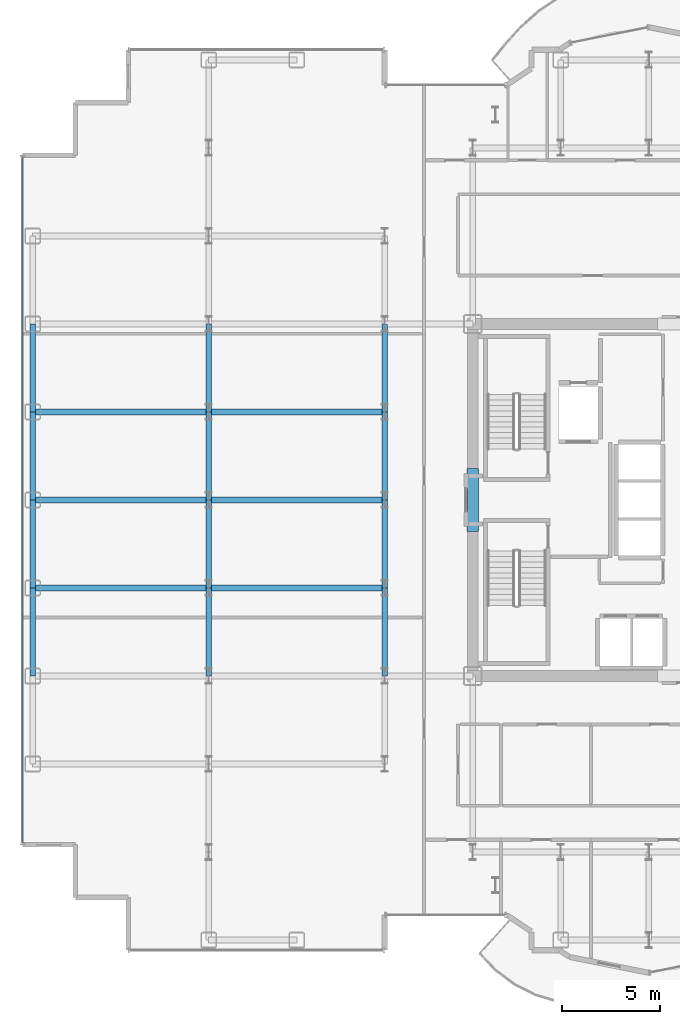
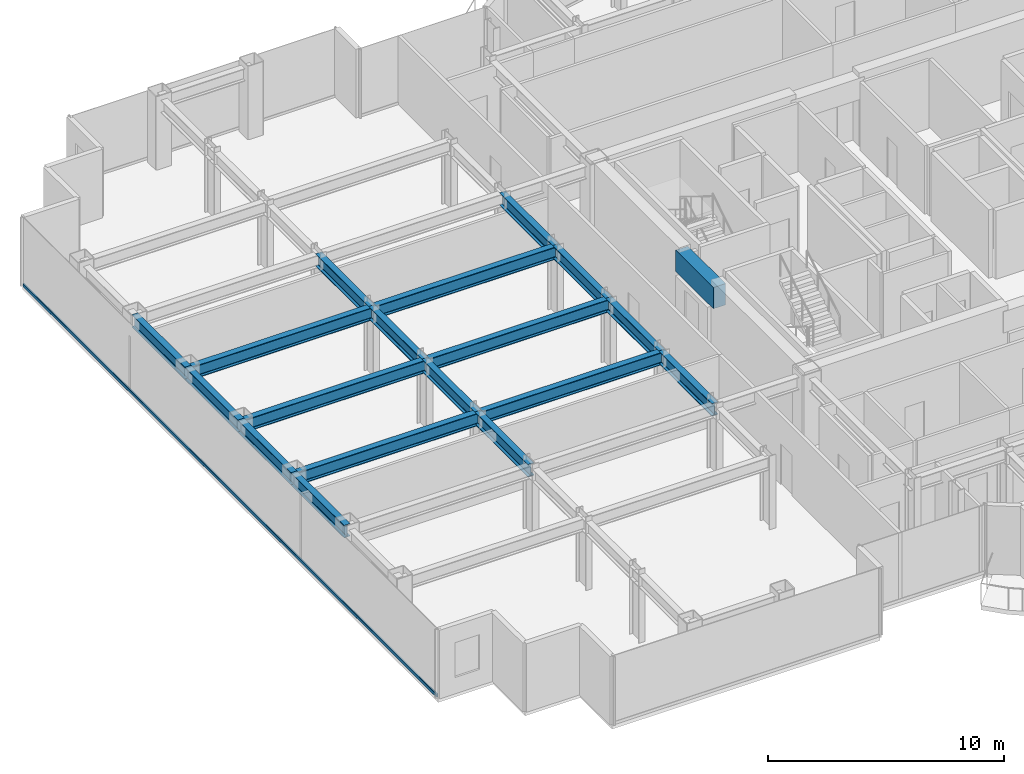
# One storey, part 6 of 22: 19 beams, 1 member, 1 element without a shape of its own.
"""IFC4 building model written with IfcOpenShell, lengths in metres."""

from ifc_helpers import new_model, si_unit, direction, frame, origin, origin_2d, place, context, subcontext, project, spatial, rectangle, hollow_rectangle, i_section, extrude, source, transform, mapped, material, layer, layer_set, material_profile, profile_set, type_object, element, aggregate, save


model = new_model("IFC4")

# Units and contexts
model_context = context("Model", 3, precision=1e-05, world=origin(), true_north=direction((0.0, 1.0)))
body_context = subcontext(model_context, "Body", "Model", "MODEL_VIEW")
ifc_project = project(units=[si_unit("LENGTHUNIT", "METRE"), si_unit("AREAUNIT", "SQUARE_METRE"), si_unit("VOLUMEUNIT", "CUBIC_METRE"), si_unit("PLANEANGLEUNIT", "RADIAN"), si_unit("MASSUNIT", "GRAM", prefix="KILO")], contexts=[model_context])

# Site, building, storey
site_placement = place(None, origin())
site = spatial("IfcSite", under=ifc_project, at=site_placement, CompositionType="ELEMENT")
building_placement = place(site_placement, origin())
building = spatial("IfcBuilding", under=site, at=building_placement, Name="Nefas-Gora Pilgrimage Tower", CompositionType="ELEMENT")
storey_placement = place(building_placement, frame((0.0, 0.0, 179.199951171875)))
storey = spatial("IfcBuildingStorey", under=building, at=storey_placement, Name="L44", CompositionType="ELEMENT", Elevation=179.199951171875)

# Beams
ifc_material_1 = material(Name="Concrete C60/75", Category="concrete")
ifc_material_profile_1 = material_profile(ifc_material_1, rectangle(XDim=0.60009765625, YDim=1.10009765625, at=origin_2d()), Name="RC 600x1100")
ifc_profile_set_1 = profile_set([ifc_material_profile_1], Name="Concrete C60/75")
beam_type_1 = type_object("IfcBeamType", Name="BM-LIN-RC1100", PredefinedType="LINTEL", material=ifc_profile_set_1)
shared_shape_1 = source(origin(), body_context, "Body", "SweptSolid", [
    extrude(rectangle(XDim=0.60009765625, YDim=1.10009765625, at=origin_2d()), origin(), (0.0, 0.0, 1.0), 3.2001953125),
])
beam_placement = place(storey_placement, frame((-11.25, -1.60009765625, 3.0), z_axis=(0.0, 1.0, 0.0), x_axis=(-1.0, 0.0, 0.0)))
element("IfcBeam", 1, at=beam_placement, inside=storey, type_object=beam_type_1, Name="L44 Core Coupling Lintel Beam W", PredefinedType="LINTEL", context=body_context, shape_type="MappedRepresentation", body=[
    mapped(shared_shape_1, transform((0.0, 0.0, 0.0), x_axis=(1.0, 0.0, 0.0), y_axis=(0.0, 1.0, 0.0), z_axis=(0.0, 0.0, 1.0), scale=1.0)),
])
ifc_material_2 = material(Name="Steel S355", Category="steel")
ifc_material_profile_2 = material_profile(ifc_material_2, i_section(OverallWidth=0.300048828125, OverallDepth=0.64990234375, WebThickness=0.01611328125, FlangeThickness=0.031005859375, FilletRadius=0.027099609375, at=origin_2d()), Name="HEB 650")
ifc_profile_set_2 = profile_set([ifc_material_profile_2], Name="Steel S355")
beam_type_2 = type_object("IfcBeamType", Name="BM-SPN-HEB500", PredefinedType="SPANDREL", material=ifc_profile_set_2)
shared_shape_2 = source(origin(), body_context, "Body", "SweptSolid", [
    extrude(i_section(OverallWidth=0.300048828125, OverallDepth=0.64990234375, WebThickness=0.01611328125, FlangeThickness=0.031005859375, FilletRadius=0.027099609375, at=origin_2d()), origin(), (0.0, 0.0, 1.0), 4.5),
])
for number, where, z_axis, x_axis, name in (
    (2, (-33.75, -9.0, 3.22509765625), (0.0, 1.0, 0.0), (-1.0, 0.0, 0.0), "L44 SP-02 beam"),
    (3, (-33.75, -4.5, 3.22509765625), (0.0, 1.0, 0.0), (-1.0, 0.0, 0.0), "L44 SP-02 beam"),
    (4, (-33.75, 0.0, 3.22509765625), (0.0, 1.0, 0.0), (-1.0, 0.0, 0.0), "L44 SP-02 beam"),
    (5, (-33.75, 4.5, 3.22509765625), (0.0, 1.0, 0.0), (-1.0, 0.0, 0.0), "L44 SP-02 beam"),
):
    element("IfcBeam", number, at=place(storey_placement, frame(where, z_axis=z_axis, x_axis=x_axis)), inside=storey, type_object=beam_type_2, Name=name, PredefinedType="SPANDREL", context=body_context, shape_type="MappedRepresentation", body=[
        mapped(shared_shape_2, transform((0.0, 0.0, 0.0), x_axis=(1.0, 0.0, 0.0), y_axis=(0.0, 1.0, 0.0), z_axis=(0.0, 0.0, 1.0), scale=1.0)),
    ])
ifc_material_profile_3 = material_profile(ifc_material_2, i_section(OverallWidth=0.300048828125, OverallDepth=0.64990234375, WebThickness=0.01611328125, FlangeThickness=0.031005859375, FilletRadius=0.027099609375, at=origin_2d()), Name="HEB 650")
ifc_profile_set_3 = profile_set([ifc_material_profile_3], Name="Steel S355")
beam_type_3 = type_object("IfcBeamType", Name="BM-GIR-HEB650", PredefinedType="BEAM", material=ifc_profile_set_3)
shared_shape_3 = source(origin(), body_context, "Body", "SweptSolid", [
    extrude(i_section(OverallWidth=0.300048828125, OverallDepth=0.64990234375, WebThickness=0.01611328125, FlangeThickness=0.031005859375, FilletRadius=0.027099609375, at=origin_2d()), origin(), (0.0, 0.0, 1.0), 9.0),
])
for number, where, z_axis, x_axis, name in (
    (6, (-33.75, -4.5, 3.22509765625), (1.0, 0.0, 0.0), (0.0, 1.0, 0.0), "L44 G-03 beam"),
    (7, (-33.75, 0.0, 3.22509765625), (1.0, 0.0, 0.0), (0.0, 1.0, 0.0), "L44 G-03 beam"),
    (8, (-33.75, 4.5, 3.22509765625), (1.0, 0.0, 0.0), (0.0, 1.0, 0.0), "L44 G-03 beam"),
    (9, (-24.75, -4.5, 3.22509765625), (1.0, 0.0, 0.0), (0.0, 1.0, 0.0), "L44 G-03 beam"),
    (10, (-24.75, 0.0, 3.22509765625), (1.0, 0.0, 0.0), (0.0, 1.0, 0.0), "L44 G-03 beam"),
    (11, (-24.75, 4.5, 3.22509765625), (1.0, 0.0, 0.0), (0.0, 1.0, 0.0), "L44 G-03 beam"),
):
    element("IfcBeam", number, at=place(storey_placement, frame(where, z_axis=z_axis, x_axis=x_axis)), inside=storey, type_object=beam_type_3, Name=name, PredefinedType="BEAM", context=body_context, shape_type="MappedRepresentation", body=[
        mapped(shared_shape_3, transform((0.0, 0.0, 0.0), x_axis=(1.0, 0.0, 0.0), y_axis=(0.0, 1.0, 0.0), z_axis=(0.0, 0.0, 1.0), scale=1.0)),
    ])
shared_shape_4 = source(origin(), body_context, "Body", "SweptSolid", [
    extrude(i_section(OverallWidth=0.300048828125, OverallDepth=0.64990234375, WebThickness=0.01611328125, FlangeThickness=0.031005859375, FilletRadius=0.027099609375, at=origin_2d()), origin(), (0.0, 0.0, 1.0), 4.5),
])
for number, where, z_axis, x_axis, name in (
    (12, (-24.75, -9.0, 3.22509765625), (0.0, 1.0, 0.0), (-1.0, 0.0, 0.0), "L44 G-03 beam"),
    (13, (-24.75, -4.5, 3.22509765625), (0.0, 1.0, 0.0), (-1.0, 0.0, 0.0), "L44 G-03 beam"),
    (14, (-24.75, 0.0, 3.22509765625), (0.0, 1.0, 0.0), (-1.0, 0.0, 0.0), "L44 G-03 beam"),
    (15, (-24.75, 4.5, 3.22509765625), (0.0, 1.0, 0.0), (-1.0, 0.0, 0.0), "L44 G-03 beam"),
    (16, (-15.75, -9.0, 3.22509765625), (0.0, 1.0, 0.0), (-1.0, 0.0, 0.0), "L44 G-03 beam"),
    (17, (-15.75, -4.5, 3.22509765625), (0.0, 1.0, 0.0), (-1.0, 0.0, 0.0), "L44 G-03 beam"),
    (18, (-15.75, 0.0, 3.22509765625), (0.0, 1.0, 0.0), (-1.0, 0.0, 0.0), "L44 G-03 beam"),
    (19, (-15.75, 4.5, 3.22509765625), (0.0, 1.0, 0.0), (-1.0, 0.0, 0.0), "L44 G-03 beam"),
):
    element("IfcBeam", number, at=place(storey_placement, frame(where, z_axis=z_axis, x_axis=x_axis)), inside=storey, type_object=beam_type_3, Name=name, PredefinedType="BEAM", context=body_context, shape_type="MappedRepresentation", body=[
        mapped(shared_shape_4, transform((0.0, 0.0, 0.0), x_axis=(1.0, 0.0, 0.0), y_axis=(0.0, 1.0, 0.0), z_axis=(0.0, 0.0, 1.0), scale=1.0)),
    ])

# Curtain wall, member
ifc_material_3 = material(Name="Dark ceramic-fritted solar-control aluminium-glass curtain wall", Category="aluminium")
ifc_layer = layer(ifc_material_3, 0.219970703125)
ifc_layer_set = layer_set([ifc_layer], Name="Dark ceramic-fritted solar-control aluminium-glass curtain wall")
curtain_wall_type = type_object("IfcCurtainWallType", Name="CW-SYS-3", PredefinedType="NOTDEFINED", material=ifc_layer_set)
curtain_wall_placement = place(storey_placement, origin())
curtain_wall = element("IfcCurtainWall", 20, at=curtain_wall_placement, inside=storey, type_object=curtain_wall_type, Name="L44 Unitised Curtain Wall CW3", PredefinedType="NOTDEFINED")
ifc_material_4 = material(Name="Anodised architectural aluminium", Category="aluminium")
ifc_material_profile_4 = material_profile(ifc_material_4, hollow_rectangle(XDim=0.080078125, YDim=0.159912109375, WallThickness=0.00439453125, InnerFilletRadius=0.00439453125, OuterFilletRadius=0.009033203125, at=origin_2d()), Name="ALU TRANSOM 80x160")
ifc_profile_set_4 = profile_set([ifc_material_profile_4], Name="Anodised architectural aluminium")
member_type = type_object("IfcMemberType", Name="CWM-TRN-3", PredefinedType="USERDEFINED", material=ifc_profile_set_4)
shared_shape_5 = source(origin(), body_context, "Body", "SweptSolid", [
    extrude(hollow_rectangle(XDim=0.080078125, YDim=0.159912109375, WallThickness=0.00439453125, InnerFilletRadius=0.00439453125, OuterFilletRadius=0.009033203125, at=origin_2d()), origin(), (0.0, 0.0, 1.0), 35.06005859375),
])
member_placement = place(storey_placement, frame((-34.27001953125, 17.530029296875, 0.050048828125), z_axis=(0.0, -1.0, 0.0), x_axis=(1.0, 0.0, 0.0)))
member = element("IfcMember", 21, at=member_placement, type_object=member_type, Name="CW3 Spandrel Transom", ObjectType="TRANSOM", PredefinedType="USERDEFINED", context=body_context, shape_type="MappedRepresentation", body=[
    mapped(shared_shape_5, transform((0.0, 0.0, 0.0), x_axis=(1.0, 0.0, 0.0), y_axis=(0.0, 1.0, 0.0), z_axis=(0.0, 0.0, 1.0), scale=1.0)),
])
aggregate(curtain_wall, [member])

save(model, "model.ifc")
